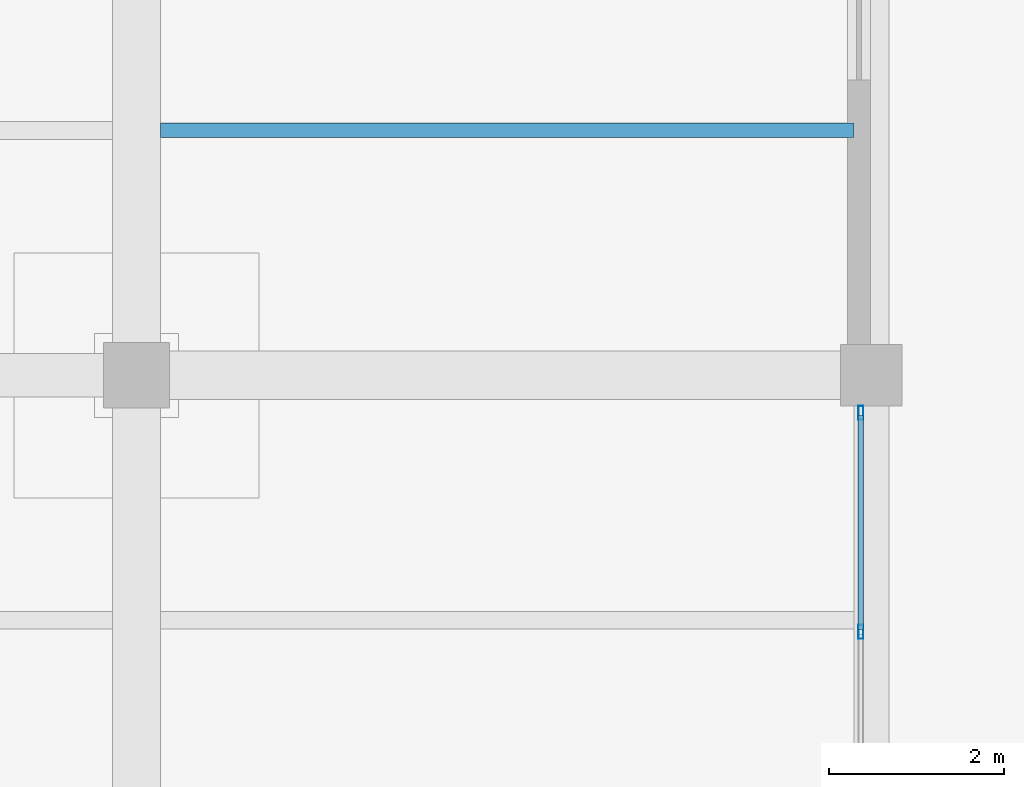
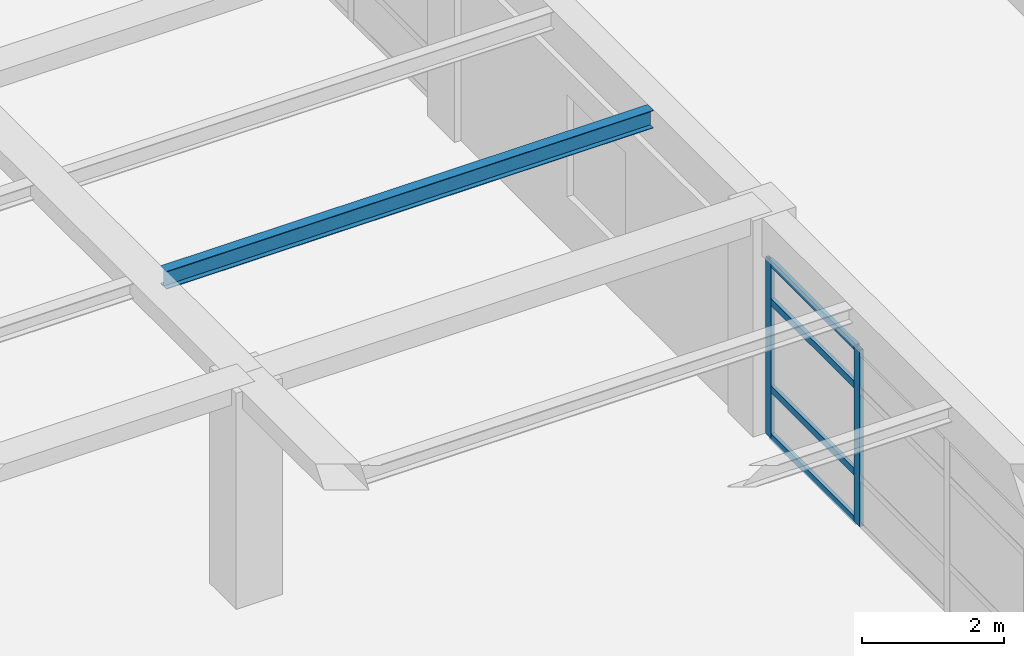
# One storey, part 20 of 35: 6 members, 1 beam, 1 element without a shape of its own.
"""IFC4 building model written with IfcOpenShell, lengths in metres."""

from ifc_helpers import new_model, si_unit, direction, frame, origin, origin_2d, place, context, subcontext, project, spatial, hollow_rectangle, i_section, extrude, material, material_profile, profile_set, type_object, element, aggregate, save


model = new_model("IFC4")

# Units and contexts
model_context = context("Model", 3, precision=1e-05, world=origin(), true_north=direction((0.0, 1.0)))
body_context = subcontext(model_context, "Body", "Model", "MODEL_VIEW")
ifc_project = project(units=[si_unit("LENGTHUNIT", "METRE"), si_unit("AREAUNIT", "SQUARE_METRE"), si_unit("VOLUMEUNIT", "CUBIC_METRE"), si_unit("PLANEANGLEUNIT", "RADIAN"), si_unit("MASSUNIT", "GRAM", prefix="KILO")], contexts=[model_context])

# Site, building, storey
site_placement = place(None, origin())
site = spatial("IfcSite", under=ifc_project, at=site_placement, CompositionType="ELEMENT")
building_placement = place(site_placement, origin())
building = spatial("IfcBuilding", under=site, at=building_placement, Name="Almacenes y Pasaje Nevantli", CompositionType="ELEMENT")
storey_placement = place(building_placement, frame((0.0, 0.0, 26.699951171875)))
storey = spatial("IfcBuildingStorey", under=building, at=storey_placement, Name="L06", CompositionType="ELEMENT", Elevation=26.699951171875)

# Beam
ifc_material_1 = material(Name="Steel ASTM A992", Category="steel")
ifc_material_profile_1 = material_profile(ifc_material_1, i_section(OverallWidth=0.1650390625, OverallDepth=0.306884765625, WebThickness=0.006591796875, FlangeThickness=0.01025390625, at=origin_2d()), Name="IR 305x44.6")
ifc_profile_set_1 = profile_set([ifc_material_profile_1], Name="Steel ASTM A992")
beam_type = type_object("IfcBeamType", Name="BM-STL-IR-305x44p6", PredefinedType="JOIST", material=ifc_profile_set_1)
beam_placement = place(storey_placement, frame((151.47509765625, 86.800048828125, 3.55859375), z_axis=(1.0, 0.0, 0.0), x_axis=(0.0, 1.0, 0.0)))
element("IfcBeam", 1, at=beam_placement, inside=storey, type_object=beam_type, Name="L06 Secondary Steel Floor Joist #1383", PredefinedType="JOIST", context=body_context, shape_type="SweptSolid", body=[
    extrude(i_section(OverallWidth=0.1650390625, OverallDepth=0.306884765625, WebThickness=0.006591796875, FlangeThickness=0.01025390625, at=origin_2d()), origin(), (0.0, 0.0, 1.0), 7.9248046875),
])

# Curtain wall, members
ifc_material_2 = material(Name="Thermally Broken Aluminium and Low-E Glass", Category="aluminium")
curtain_wall_type = type_object("IfcCurtainWallType", Name="CW-UNIT-TOWER", PredefinedType="USERDEFINED", material=ifc_material_2)
curtain_wall_placement = place(storey_placement, origin())
curtain_wall = element("IfcCurtainWall", 2, at=curtain_wall_placement, inside=storey, type_object=curtain_wall_type, Name="L06 Tower East Curtain Wall Bay 10", ObjectType="UNITIZED CURTAIN WALL", PredefinedType="USERDEFINED")
ifc_material_3 = material(Name="Thermally Broken Anodized Aluminium", Category="aluminium")
ifc_material_profile_2 = material_profile(ifc_material_3, hollow_rectangle(XDim=0.06005859375, YDim=0.159912109375, WallThickness=0.00390625, at=origin_2d()), Name="ALU-MUL-60x160")
ifc_profile_set_2 = profile_set([ifc_material_profile_2], Name="Thermally Broken Anodized Aluminium")
member_type_1 = type_object("IfcMemberType", Name="CW-MUL-180", PredefinedType="MULLION", material=ifc_profile_set_2)
member_1_placement = place(storey_placement, frame((159.47998046875, 81.066650390625, 0.0), z_axis=(0.0, 0.0, 1.0), x_axis=(-1.0, 0.0, 0.0)))
member_1 = element("IfcMember", 3, at=member_1_placement, type_object=member_type_1, Name="CW-L06-109 mullion 3", PredefinedType="MULLION", context=body_context, shape_type="SweptSolid", body=[
    extrude(hollow_rectangle(XDim=0.06005859375, YDim=0.159912109375, WallThickness=0.00390625, at=origin_2d()), origin(), (0.0, 0.0, 1.0), 3.0400390625),
])
member_2_placement = place(storey_placement, frame((159.47998046875, 83.570068359375, 0.0), z_axis=(0.0, 0.0, 1.0), x_axis=(-1.0, 0.0, 0.0)))
member_2 = element("IfcMember", 4, at=member_2_placement, type_object=member_type_1, Name="CW-L06-109 mullion 4", PredefinedType="MULLION", context=body_context, shape_type="SweptSolid", body=[
    extrude(hollow_rectangle(XDim=0.06005859375, YDim=0.159912109375, WallThickness=0.00390625, at=origin_2d()), origin(), (0.0, 0.0, 1.0), 3.0400390625),
])
ifc_material_4 = material(Name="Thermally Broken Anodized Aluminium", Category="aluminium")
ifc_material_profile_3 = material_profile(ifc_material_4, hollow_rectangle(XDim=0.06005859375, YDim=0.1201171875, WallThickness=0.00341796875, at=origin_2d()), Name="ALU-TRN-60x120")
ifc_profile_set_3 = profile_set([ifc_material_profile_3], Name="Thermally Broken Anodized Aluminium")
member_type_2 = type_object("IfcMemberType", Name="CW-TRN-130", PredefinedType="USERDEFINED", material=ifc_profile_set_3)
member_3_placement = place(storey_placement, frame((159.47998046875, 81.0966796875, 0.030029296875), z_axis=(0.0, 1.0, 0.0), x_axis=(-1.0, 0.0, 0.0)))
member_3 = element("IfcMember", 5, at=member_3_placement, type_object=member_type_2, Name="CW-L06-109 transom 3.1", ObjectType="TRANSOM", PredefinedType="USERDEFINED", context=body_context, shape_type="SweptSolid", body=[
    extrude(hollow_rectangle(XDim=0.06005859375, YDim=0.1201171875, WallThickness=0.00341796875, at=origin_2d()), origin(), (0.0, 0.0, 1.0), 2.443359375),
])
member_4_placement = place(storey_placement, frame((159.47998046875, 81.0966796875, 0.85009765625), z_axis=(0.0, 1.0, 0.0), x_axis=(-1.0, 0.0, 0.0)))
member_4 = element("IfcMember", 6, at=member_4_placement, type_object=member_type_2, Name="CW-L06-109 transom 3.2", ObjectType="TRANSOM", PredefinedType="USERDEFINED", context=body_context, shape_type="SweptSolid", body=[
    extrude(hollow_rectangle(XDim=0.06005859375, YDim=0.1201171875, WallThickness=0.00341796875, at=origin_2d()), origin(), (0.0, 0.0, 1.0), 2.443359375),
])
member_5_placement = place(storey_placement, frame((159.47998046875, 81.0966796875, 2.35009765625), z_axis=(0.0, 1.0, 0.0), x_axis=(-1.0, 0.0, 0.0)))
member_5 = element("IfcMember", 7, at=member_5_placement, type_object=member_type_2, Name="CW-L06-109 transom 3.3", ObjectType="TRANSOM", PredefinedType="USERDEFINED", context=body_context, shape_type="SweptSolid", body=[
    extrude(hollow_rectangle(XDim=0.06005859375, YDim=0.1201171875, WallThickness=0.00341796875, at=origin_2d()), origin(), (0.0, 0.0, 1.0), 2.443359375),
])
member_6_placement = place(storey_placement, frame((159.47998046875, 81.0966796875, 3.010009765625), z_axis=(0.0, 1.0, 0.0), x_axis=(-1.0, 0.0, 0.0)))
member_6 = element("IfcMember", 8, at=member_6_placement, type_object=member_type_2, Name="CW-L06-109 transom 3.4", ObjectType="TRANSOM", PredefinedType="USERDEFINED", context=body_context, shape_type="SweptSolid", body=[
    extrude(hollow_rectangle(XDim=0.06005859375, YDim=0.1201171875, WallThickness=0.00341796875, at=origin_2d()), origin(), (0.0, 0.0, 1.0), 2.443359375),
])
aggregate(curtain_wall, [member_1, member_2, member_3, member_4, member_5, member_6])

save(model, "model.ifc")
